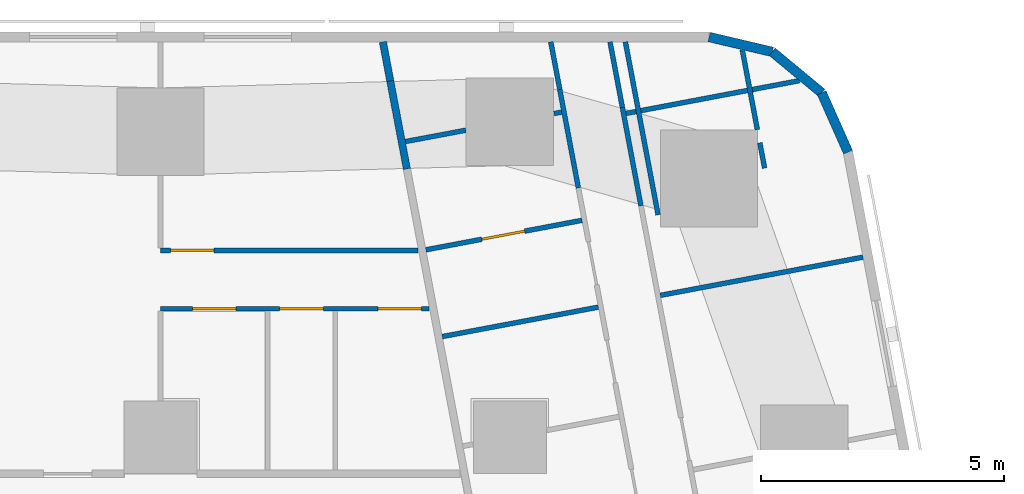
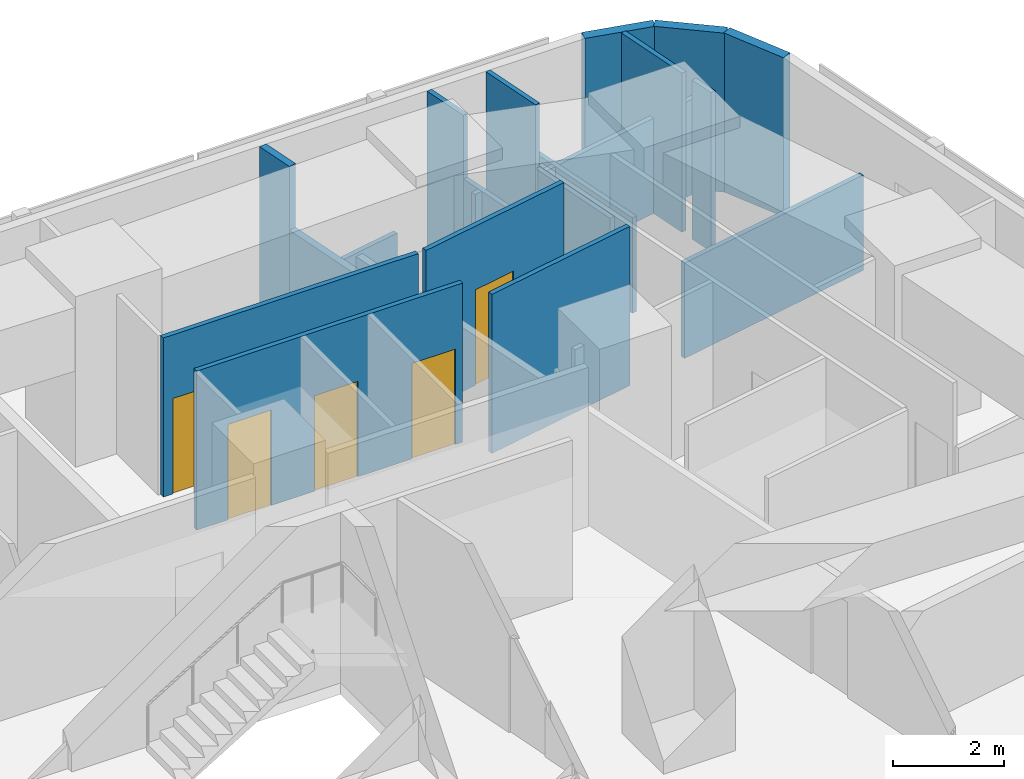
# One storey, part 11 of 15: 20 walls, 5 doors, 5 openings.
"""IFC4 building model written with IfcOpenShell, lengths in metres."""

from ifc_helpers import new_model, si_unit, direction, frame, frame_2d, origin, place, context, subcontext, project, spatial, rectangle, extrude, material, layer, layer_set, type_object, element, fill, save


model = new_model("IFC4")

# Units and contexts
model_context = context("Model", 3, precision=1e-05, world=origin(), true_north=direction((0.0, 1.0)))
body_context = subcontext(model_context, "Body", "Model", "MODEL_VIEW")
ifc_project = project(units=[si_unit("LENGTHUNIT", "METRE"), si_unit("AREAUNIT", "SQUARE_METRE"), si_unit("VOLUMEUNIT", "CUBIC_METRE"), si_unit("PLANEANGLEUNIT", "RADIAN"), si_unit("MASSUNIT", "GRAM", prefix="KILO")], contexts=[model_context])

# Site, building, storey
site_placement = place(None, origin())
site = spatial("IfcSite", under=ifc_project, at=site_placement, CompositionType="ELEMENT")
building_placement = place(site_placement, origin())
building = spatial("IfcBuilding", under=site, at=building_placement, Name="Sheger Commons Tower", CompositionType="ELEMENT")
storey_placement = place(building_placement, frame((0.0, 0.0, 150.800048828125)))
storey = spatial("IfcBuildingStorey", under=building, at=storey_placement, Name="L38", CompositionType="ELEMENT", Elevation=150.800048828125)

# Walls
ifc_material_1 = material(Name="Hollow concrete block masonry, skimmed both sides", Category="masonry")
ifc_layer_1 = layer(ifc_material_1, 0.14990234375)
ifc_layer_set_1 = layer_set([ifc_layer_1], Name="CORRIDOR WALL 150")
wall_type_1 = type_object("IfcWallType", Name="CORRIDOR WALL 150", PredefinedType="SOLIDWALL", material=ifc_layer_set_1)
wall_1_placement = place(storey_placement, frame((33.382080078125, 45.64990234375, 0.0), z_axis=(0.0, 0.0, 1.0), x_axis=(0.185169202764, -0.982706653253, 0.0)))
element("IfcWall", 1, at=wall_1_placement, inside=storey, type_object=wall_type_1, Name="Corridor wall L38", PredefinedType="SOLIDWALL", context=body_context, shape_type="SweptSolid", body=[
    extrude(rectangle(XDim=0.820068359375, YDim=0.14990234375, at=frame_2d((0.41015625, 0.0))), origin(), (0.0, 0.0, 1.0), 3.5),
])
wall_2_placement = place(storey_placement, frame((33.533935546875, 44.843994140625, 0.0), z_axis=(0.0, 0.0, 1.0), x_axis=(0.185708872674, -0.982604811005, 0.0)))
element("IfcWall", 2, at=wall_2_placement, inside=storey, type_object=wall_type_1, Name="Corridor wall L38", PredefinedType="SOLIDWALL", context=body_context, shape_type="SweptSolid", body=[
    extrude(rectangle(XDim=1.84716796875, YDim=0.14990234375, at=frame_2d((0.923583984375, 0.0))), origin(), (0.0, 0.0, 1.0), 2.099853515625),
])
ifc_material_2 = material(Name="Rendered concrete block masonry, dark grey", Category="masonry")
ifc_layer_2 = layer(ifc_material_2, 0.199951171875)
ifc_layer_set_2 = layer_set([ifc_layer_2], Name="FACADE WALL 200")
wall_type_2 = type_object("IfcWallType", Name="FACADE WALL 200", PredefinedType="SOLIDWALL", material=ifc_layer_set_2)
wall_3_placement = place(storey_placement, frame((42.969970703125, 43.376953125, 0.0), z_axis=(0.0, 0.0, 1.0), x_axis=(-0.406002956633, 0.913871762998, 0.0)))
element("IfcWall", 3, at=wall_3_placement, inside=storey, type_object=wall_type_2, Name="Facade wall L38", PredefinedType="SOLIDWALL", context=body_context, shape_type="SweptSolid", body=[
    extrude(rectangle(XDim=1.33740234375, YDim=0.199951171875, at=frame_2d((0.668701171875, 0.0))), origin(), (0.0, 0.0, 1.0), 3.5),
])
wall_4_placement = place(storey_placement, frame((42.427001953125, 44.59912109375, 0.0), z_axis=(0.0, 0.0, 1.0), x_axis=(-0.770091412544, 0.637933551655, 0.0)))
element("IfcWall", 4, at=wall_4_placement, inside=storey, type_object=wall_type_2, Name="Facade wall L38", PredefinedType="SOLIDWALL", context=body_context, shape_type="SweptSolid", body=[
    extrude(rectangle(XDim=1.324462890625, YDim=0.199951171875, at=frame_2d((0.662109375, 0.0))), origin(), (0.0, 0.0, 1.0), 3.5),
])
wall_5_placement = place(storey_placement, frame((41.406982421875, 45.444091796875, 0.0), z_axis=(0.0, 0.0, 1.0), x_axis=(-0.973453091607, 0.228886606077, 0.0)))
element("IfcWall", 5, at=wall_5_placement, inside=storey, type_object=wall_type_2, Name="Facade wall L38", PredefinedType="SOLIDWALL", context=body_context, shape_type="SweptSolid", body=[
    extrude(rectangle(XDim=1.33642578125, YDim=0.199951171875, at=frame_2d((0.668212890625, 0.0))), origin(), (0.0, 0.0, 1.0), 3.5),
])
ifc_material_3 = material(Name="Gypsum board on steel studs", Category="steel")
ifc_layer_3 = layer(ifc_material_3, 0.10009765625)
ifc_layer_set_3 = layer_set([ifc_layer_3], Name="PARTITION 100")
wall_type_3 = type_object("IfcWallType", Name="PARTITION 100", PredefinedType="PARTITIONING", material=ifc_layer_set_3)
wall_6_placement = place(storey_placement, frame((39.053955078125, 42.0849609375, 0.0), z_axis=(0.0, 0.0, 1.0), x_axis=(-0.185791584218, 0.982589175207, 0.0)))
element("IfcWall", 6, at=wall_6_placement, inside=storey, type_object=wall_type_3, Name="Partition L38", PredefinedType="PARTITIONING", context=body_context, shape_type="SweptSolid", body=[
    extrude(rectangle(XDim=3.628173828125, YDim=0.10009765625, at=frame_2d((1.81396484375, 0.0))), origin(), (0.0, 0.0, 1.0), 2.099853515625),
])
wall_7_placement = place(storey_placement, frame((40.7890625, 45.487060546875, 0.0), z_axis=(0.0, 0.0, 1.0), x_axis=(0.185572395193, -0.982630594955, 0.0)))
element("IfcWall", 7, at=wall_7_placement, inside=storey, type_object=wall_type_3, Name="Partition L38", PredefinedType="PARTITIONING", context=body_context, shape_type="SweptSolid", body=[
    extrude(rectangle(XDim=1.676025390625, YDim=0.10009765625, at=frame_2d((0.837890625, 0.0))), origin(), (0.0, 0.0, 1.0), 3.5),
])
wall_8_placement = place(storey_placement, frame((41.15087890625, 43.569091796875, 0.0), z_axis=(0.0, 0.0, 1.0), x_axis=(0.186563073924, -0.982442985342, 0.0)))
element("IfcWall", 8, at=wall_8_placement, inside=storey, type_object=wall_type_3, Name="Partition L38", PredefinedType="PARTITIONING", context=body_context, shape_type="SweptSolid", body=[
    extrude(rectangle(XDim=0.53125, YDim=0.10009765625, at=frame_2d((0.265625, 0.0))), origin(), (0.0, 0.0, 1.0), 3.5),
])
wall_9_placement = place(storey_placement, frame((38.06298828125, 45.64990234375, 0.0), z_axis=(0.0, 0.0, 1.0), x_axis=(0.185456359766, -0.982652501458, 0.0)))
element("IfcWall", 9, at=wall_9_placement, inside=storey, type_object=wall_type_3, Name="Partition L38", PredefinedType="PARTITIONING", context=body_context, shape_type="SweptSolid", body=[
    extrude(rectangle(XDim=1.375732421875, YDim=0.10009765625, at=frame_2d((0.68798828125, 0.0))), origin(), (0.0, 0.0, 1.0), 3.5),
])
wall_10_placement = place(storey_placement, frame((38.318115234375, 44.298095703125, 0.0), z_axis=(0.0, 0.0, 1.0), x_axis=(0.185481135188, -0.982647825261, 0.0)))
element("IfcWall", 10, at=wall_10_placement, inside=storey, type_object=wall_type_3, Name="Partition L38", PredefinedType="PARTITIONING", context=body_context, shape_type="SweptSolid", body=[
    extrude(rectangle(XDim=2.06396484375, YDim=0.10009765625, at=frame_2d((1.031982421875, 0.0))), origin(), (0.0, 0.0, 1.0), 2.099853515625),
])
wall_11_placement = place(storey_placement, frame((36.842041015625, 45.64990234375, 0.0), z_axis=(0.0, 0.0, 1.0), x_axis=(0.185789875365, -0.982589498322, 0.0)))
element("IfcWall", 11, at=wall_11_placement, inside=storey, type_object=wall_type_3, Name="Partition L38", PredefinedType="PARTITIONING", context=body_context, shape_type="SweptSolid", body=[
    extrude(rectangle(XDim=1.001220703125, YDim=0.10009765625, at=frame_2d((0.50048828125, 0.0))), origin(), (0.0, 0.0, 1.0), 3.5),
])
wall_12_placement = place(storey_placement, frame((37.028076171875, 44.666015625, 0.0), z_axis=(0.0, 0.0, 1.0), x_axis=(0.185481135188, -0.982647825261, 0.0)))
element("IfcWall", 12, at=wall_12_placement, inside=storey, type_object=wall_type_3, Name="Partition L38", PredefinedType="PARTITIONING", context=body_context, shape_type="SweptSolid", body=[
    extrude(rectangle(XDim=2.06396484375, YDim=0.10009765625, at=frame_2d((1.031982421875, 0.0))), origin(), (0.0, 0.0, 1.0), 2.099853515625),
])
wall_13_placement = place(storey_placement, frame((41.968017578125, 44.85009765625, 0.0), z_axis=(0.0, 0.0, 1.0), x_axis=(-0.98258614234, -0.185807623311, 0.0)))
element("IfcWall", 13, at=wall_13_placement, inside=storey, type_object=wall_type_3, Name="Partition L38", PredefinedType="PARTITIONING", context=body_context, shape_type="SweptSolid", body=[
    extrude(rectangle(XDim=3.638427734375, YDim=0.10009765625, at=frame_2d((1.8193359375, 0.0))), origin(), (0.0, 0.0, 1.0), 2.099853515625),
])
wall_14_placement = place(storey_placement, frame((43.277099609375, 41.2119140625, 0.0), z_axis=(0.0, 0.0, 1.0), x_axis=(-0.982665405803, -0.185387972203, 0.0)))
element("IfcWall", 14, at=wall_14_placement, inside=storey, type_object=wall_type_3, Name="Partition L38", PredefinedType="PARTITIONING", context=body_context, shape_type="SweptSolid", body=[
    extrude(rectangle(XDim=4.249755859375, YDim=0.10009765625, at=frame_2d((2.125, 0.0))), origin(), (0.0, 0.0, 1.0), 2.099853515625),
])
wall_15_placement = place(storey_placement, frame((37.06494140625, 44.200927734375, 0.0), z_axis=(0.0, 0.0, 1.0), x_axis=(-0.983168876381, -0.182699098288, 0.0)))
element("IfcWall", 15, at=wall_15_placement, inside=storey, type_object=wall_type_3, Name="Partition L38", PredefinedType="PARTITIONING", context=body_context, shape_type="SweptSolid", body=[
    extrude(rectangle(XDim=0.15771484375, YDim=0.10009765625, at=frame_2d((0.078857421875, 0.0))), origin(), (0.0, 0.0, 1.0), 2.099853515625),
])
wall_16_placement = place(storey_placement, frame((35.090087890625, 43.827880859375, 0.0), z_axis=(0.0, 0.0, 1.0), x_axis=(-0.982758384778, -0.184894448668, 0.0)))
element("IfcWall", 16, at=wall_16_placement, inside=storey, type_object=wall_type_3, Name="Partition L38", PredefinedType="PARTITIONING", context=body_context, shape_type="SweptSolid", body=[
    extrude(rectangle(XDim=1.264892578125, YDim=0.10009765625, at=frame_2d((0.63232421875, 0.0))), origin(), (0.0, 0.0, 1.0), 2.099853515625),
])
wall_17_placement = place(storey_placement, frame((37.822998046875, 40.181884765625, 0.0), z_axis=(0.0, 0.0, 1.0), x_axis=(-0.982664729897, -0.18539155487, 0.0)))
element("IfcWall", 17, at=wall_17_placement, inside=storey, type_object=wall_type_3, Name="Partition L38", PredefinedType="PARTITIONING", context=body_context, shape_type="SweptSolid", body=[
    extrude(rectangle(XDim=3.273681640625, YDim=0.10009765625, at=frame_2d((1.63671875, 0.0))), origin(), (0.0, 0.0, 1.0), 3.5),
])

# Wall, opening, door
wall_18_placement = place(storey_placement, frame((37.486083984375, 41.970947265625, 0.0), z_axis=(0.0, 0.0, 1.0), x_axis=(-0.982620626894, -0.185625169636, 0.0)))
wall_18 = element("IfcWall", 18, at=wall_18_placement, inside=storey, type_object=wall_type_3, Name="Partition L38", PredefinedType="PARTITIONING", context=body_context, shape_type="SweptSolid", body=[
    extrude(rectangle(XDim=3.27490234375, YDim=0.10009765625, at=frame_2d((1.637451171875, 0.0))), origin(), (0.0, 0.0, 1.0), 3.5),
])
opening_1_placement = place(wall_18_placement, frame((1.200927734375, 0.0, 0.0)))
opening_1 = element("IfcOpeningElement", 19, at=opening_1_placement, cuts=wall_18, Name="Opening D2", PredefinedType="OPENING", context=body_context, shape_type="SweptSolid", body=[
    extrude(rectangle(XDim=0.89990234375, YDim=2.10009765625, at=frame_2d((0.449951171875, 1.050048828125))), frame((0.0, 0.06005859375, 0.0), z_axis=(0.0, -1.0, 0.0), x_axis=(1.0, 0.0, 0.0)), (0.0, 0.0, 1.0), 0.1201171875),
])
ifc_material_4 = material(Name="Timber door set", Category="wood")
door_type = type_object("IfcDoorType", Name="INTERNAL DOOR 900x2100", OperationType="NOTDEFINED", PredefinedType="DOOR", material=ifc_material_4)
door_1_placement = place(opening_1_placement, origin())
door_1 = element("IfcDoor", 20, at=door_1_placement, inside=storey, type_object=door_type, Name="Store door", OperationType="SINGLE_SWING_LEFT", OverallHeight=2.10009765625, OverallWidth=0.89990234375, PredefinedType="DOOR", context=body_context, shape_type="SweptSolid", body=[
    extrude(rectangle(XDim=0.89990234375, YDim=2.10009765625, at=frame_2d((0.449951171875, 1.050048828125))), frame((0.0, 0.02490234375, 0.0), z_axis=(0.0, -1.0, 0.0), x_axis=(1.0, 0.0, 0.0)), (0.0, 0.0, 1.0), 0.050048828125),
])
fill(opening_1, door_1)

wall_19_placement = place(storey_placement, frame((28.800048828125, 41.35009765625, 0.0), z_axis=(0.0, 0.0, 1.0), x_axis=(1.0, 0.0, 0.0)))
wall_19 = element("IfcWall", 21, at=wall_19_placement, inside=storey, type_object=wall_type_3, Name="Partition L38", PredefinedType="PARTITIONING", context=body_context, shape_type="SweptSolid", body=[
    extrude(rectangle(XDim=5.307861328125, YDim=0.10009765625, at=frame_2d((2.65380859375, 0.0))), origin(), (0.0, 0.0, 1.0), 3.5),
])
opening_2_placement = place(wall_19_placement, frame((0.199951171875, 0.0, 0.0)))
opening_2 = element("IfcOpeningElement", 22, at=opening_2_placement, cuts=wall_19, Name="Opening D2", PredefinedType="OPENING", context=body_context, shape_type="SweptSolid", body=[
    extrude(rectangle(XDim=0.89990234375, YDim=2.10009765625, at=frame_2d((0.449951171875, 1.050048828125))), frame((0.0, 0.06005859375, 0.0), z_axis=(0.0, -1.0, 0.0), x_axis=(1.0, 0.0, 0.0)), (0.0, 0.0, 1.0), 0.1201171875),
])
door_2_placement = place(opening_2_placement, origin())
door_2 = element("IfcDoor", 23, at=door_2_placement, inside=storey, type_object=door_type, Name="Main bedroom door", OperationType="SINGLE_SWING_LEFT", OverallHeight=2.10009765625, OverallWidth=0.89990234375, PredefinedType="DOOR", context=body_context, shape_type="SweptSolid", body=[
    extrude(rectangle(XDim=0.89990234375, YDim=2.10009765625, at=frame_2d((0.449951171875, 1.050048828125))), frame((0.0, 0.02490234375, 0.0), z_axis=(0.0, -1.0, 0.0), x_axis=(1.0, 0.0, 0.0)), (0.0, 0.0, 1.0), 0.050048828125),
])
fill(opening_2, door_2)

# Wall, openings, doors
wall_20_placement = place(storey_placement, frame((28.800048828125, 40.14990234375, 0.0), z_axis=(0.0, 0.0, 1.0), x_axis=(1.0, 0.0, 0.0)))
wall_20 = element("IfcWall", 24, at=wall_20_placement, inside=storey, type_object=wall_type_3, Name="Partition L38", PredefinedType="PARTITIONING", context=body_context, shape_type="SweptSolid", body=[
    extrude(rectangle(XDim=5.534912109375, YDim=0.10009765625, at=frame_2d((2.767578125, 0.0))), origin(), (0.0, 0.0, 1.0), 3.5),
])
opening_3_placement = place(wall_20_placement, frame((0.655029296875, 0.0, 0.0)))
opening_3 = element("IfcOpeningElement", 25, at=opening_3_placement, cuts=wall_20, Name="Opening D2", PredefinedType="OPENING", context=body_context, shape_type="SweptSolid", body=[
    extrude(rectangle(XDim=0.89990234375, YDim=2.10009765625, at=frame_2d((0.449951171875, 1.050048828125))), frame((0.0, 0.06005859375, 0.0), z_axis=(0.0, -1.0, 0.0), x_axis=(1.0, 0.0, 0.0)), (0.0, 0.0, 1.0), 0.1201171875),
])
opening_4_placement = place(wall_20_placement, frame((4.48095703125, 0.0, 0.0)))
opening_4 = element("IfcOpeningElement", 26, at=opening_4_placement, cuts=wall_20, Name="Opening D2", PredefinedType="OPENING", context=body_context, shape_type="SweptSolid", body=[
    extrude(rectangle(XDim=0.89990234375, YDim=2.10009765625, at=frame_2d((0.449951171875, 1.050048828125))), frame((0.0, 0.06005859375, 0.0), z_axis=(0.0, -1.0, 0.0), x_axis=(1.0, 0.0, 0.0)), (0.0, 0.0, 1.0), 0.1201171875),
])
opening_5_placement = place(wall_20_placement, frame((2.455078125, 0.0, 0.0)))
opening_5 = element("IfcOpeningElement", 27, at=opening_5_placement, cuts=wall_20, Name="Opening D2", PredefinedType="OPENING", context=body_context, shape_type="SweptSolid", body=[
    extrude(rectangle(XDim=0.89990234375, YDim=2.10009765625, at=frame_2d((0.449951171875, 1.050048828125))), frame((0.0, 0.06005859375, 0.0), z_axis=(0.0, -1.0, 0.0), x_axis=(1.0, 0.0, 0.0)), (0.0, 0.0, 1.0), 0.1201171875),
])
door_3_placement = place(opening_3_placement, origin())
door_3 = element("IfcDoor", 28, at=door_3_placement, inside=storey, type_object=door_type, Name="Bathroom door", OperationType="SINGLE_SWING_RIGHT", OverallHeight=2.10009765625, OverallWidth=0.89990234375, PredefinedType="DOOR", context=body_context, shape_type="SweptSolid", body=[
    extrude(rectangle(XDim=0.89990234375, YDim=2.10009765625, at=frame_2d((0.449951171875, 1.050048828125))), frame((0.0, 0.02490234375, 0.0), z_axis=(0.0, -1.0, 0.0), x_axis=(1.0, 0.0, 0.0)), (0.0, 0.0, 1.0), 0.050048828125),
])
fill(opening_3, door_3)
door_4_placement = place(opening_4_placement, origin())
door_4 = element("IfcDoor", 29, at=door_4_placement, inside=storey, type_object=door_type, Name="Laundry room door", OperationType="SINGLE_SWING_LEFT", OverallHeight=2.10009765625, OverallWidth=0.89990234375, PredefinedType="DOOR", context=body_context, shape_type="SweptSolid", body=[
    extrude(rectangle(XDim=0.89990234375, YDim=2.10009765625, at=frame_2d((0.449951171875, 1.050048828125))), frame((0.0, 0.02490234375, 0.0), z_axis=(0.0, -1.0, 0.0), x_axis=(1.0, 0.0, 0.0)), (0.0, 0.0, 1.0), 0.050048828125),
])
fill(opening_4, door_4)
door_5_placement = place(opening_5_placement, origin())
door_5 = element("IfcDoor", 30, at=door_5_placement, inside=storey, type_object=door_type, Name="Store door", OperationType="SINGLE_SWING_LEFT", OverallHeight=2.10009765625, OverallWidth=0.89990234375, PredefinedType="DOOR", context=body_context, shape_type="SweptSolid", body=[
    extrude(rectangle(XDim=0.89990234375, YDim=2.10009765625, at=frame_2d((0.449951171875, 1.050048828125))), frame((0.0, 0.02490234375, 0.0), z_axis=(0.0, -1.0, 0.0), x_axis=(1.0, 0.0, 0.0)), (0.0, 0.0, 1.0), 0.050048828125),
])
fill(opening_5, door_5)

save(model, "model.ifc")
